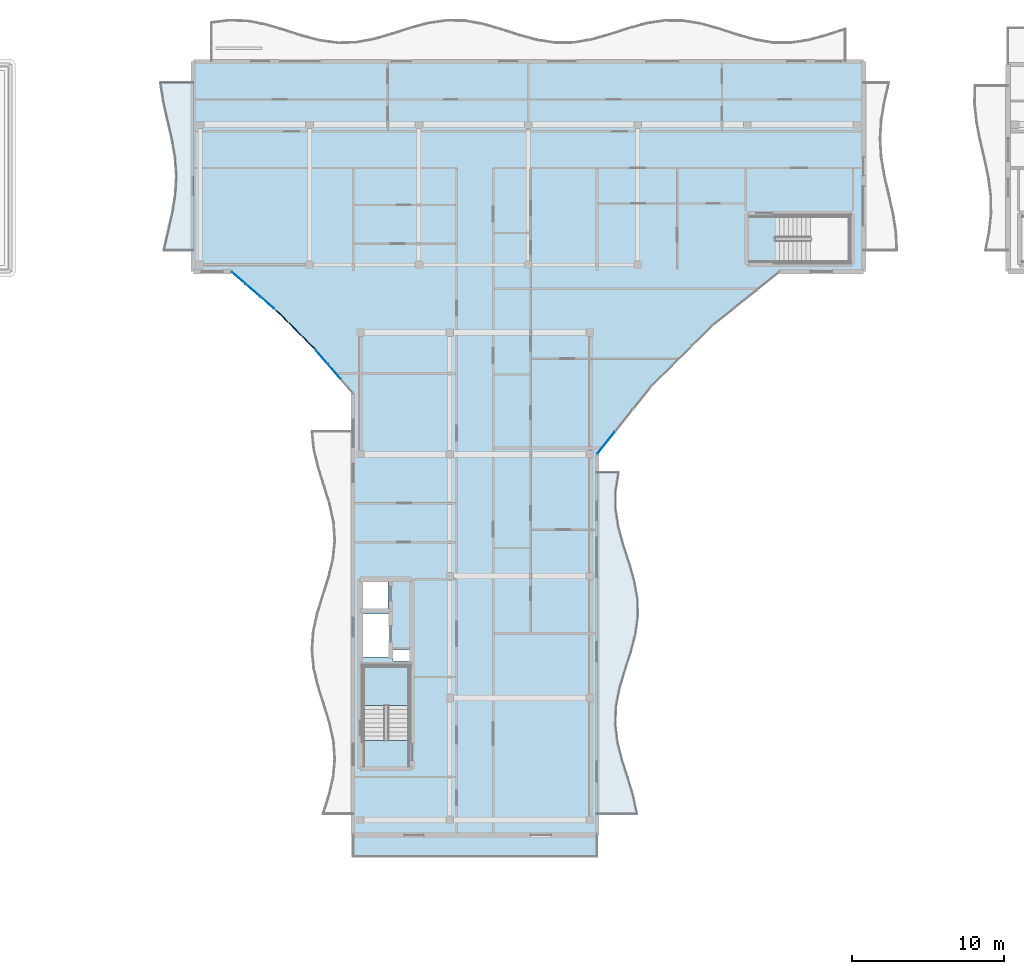
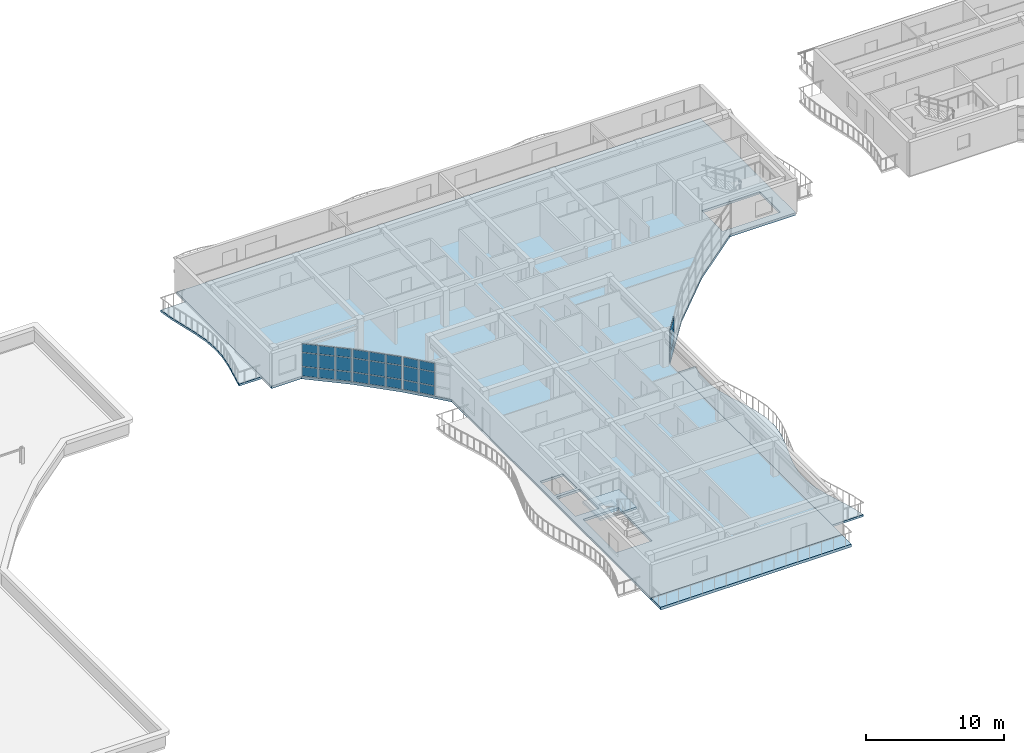
# One storey, part 17 of 39: 27 plates, 5 slabs, 5 elements without a shape of their own.
"""IFC4 building model written with IfcOpenShell, lengths in metres."""

from ifc_helpers import new_model, si_unit, direction, frame, origin, origin_2d, place, context, subcontext, project, spatial, polyline, rectangle, outline, extrude, material, layer, layer_set, type_object, element, aggregate, save


model = new_model("IFC4")

# Units and contexts
model_context = context("Model", 3, precision=1e-05, world=origin(), true_north=direction((0.0, 1.0)))
body_context = subcontext(model_context, "Body", "Model", "MODEL_VIEW")
ifc_project = project(units=[si_unit("LENGTHUNIT", "METRE"), si_unit("AREAUNIT", "SQUARE_METRE"), si_unit("VOLUMEUNIT", "CUBIC_METRE"), si_unit("PLANEANGLEUNIT", "RADIAN"), si_unit("MASSUNIT", "GRAM", prefix="KILO")], contexts=[model_context])

# Site, building, storey
site_placement = place(None, origin())
site = spatial("IfcSite", under=ifc_project, at=site_placement, CompositionType="ELEMENT")
building_placement = place(site_placement, origin())
building = spatial("IfcBuilding", under=site, at=building_placement, Name="Keldmere Railside Commons", CompositionType="ELEMENT")
storey_placement = place(building_placement, frame((0.0, 0.0, 32.9599609375)))
storey = spatial("IfcBuildingStorey", under=building, at=storey_placement, Name="L10", CompositionType="ELEMENT", Elevation=32.9599609375)

# Stair, slab
ifc_material_1 = material(Name="Concrete H-30 (C30/37)", Category="concrete")
stair_type = type_object("IfcStairType", Name="Basement Garage Dogleg Escape Stair 1450", PredefinedType="HALF_TURN_STAIR", material=ifc_material_1)
stair_placement = place(storey_placement, origin())
stair = element("IfcStair", 1, at=stair_placement, inside=storey, type_object=stair_type, Name="L10 Block B Primary Escape Stair 1", PredefinedType="HALF_TURN_STAIR")
ifc_layer_1 = layer(ifc_material_1, 0.199951171875, Name="Enclosed Stair Landing Slab 200")
ifc_layer_set_1 = layer_set([ifc_layer_1], Name="Concrete H-30 (C30/37)")
slab_type_1 = type_object("IfcSlabType", Name="Enclosed Stair Landing Slab 200", PredefinedType="LANDING", material=ifc_layer_set_1)
slab_1_placement = place(storey_placement, frame((0.0, 0.0, 1.400146484375)))
slab_1 = element("IfcSlab", 2, at=slab_1_placement, type_object=slab_type_1, Name="ST-B1 landing 1", PredefinedType="LANDING", context=body_context, shape_type="SweptSolid", body=[
    extrude(outline(polyline([(107.699951171875, 71.52001953125), (107.699951171875, 74.10009765625), (104.64990234375, 74.10009765625), (104.64990234375, 71.52001953125), (107.699951171875, 71.52001953125)])), origin(), (0.0, 0.0, 1.0), 0.199951171875),
])
aggregate(stair, [slab_1])

# Curtain wall, plates
ifc_material_2 = material(Name="Thermally Broken Aluminium", Category="aluminium")
ifc_layer_2 = layer(ifc_material_2, 0.159912109375, Name="Court Chord Wintergarden CW 4800x2850")
ifc_layer_set_2 = layer_set([ifc_layer_2], Name="Thermally Broken Aluminium")
curtain_wall_type_1 = type_object("IfcCurtainWallType", Name="Court Chord Wintergarden CW 4800x2850", PredefinedType="NOTDEFINED", material=ifc_layer_set_2)
curtain_wall_1_placement = place(storey_placement, origin())
curtain_wall_1 = element("IfcCurtainWall", 3, at=curtain_wall_1_placement, inside=storey, type_object=curtain_wall_type_1, Name="CW-12 CW-L10-148", PredefinedType="NOTDEFINED")
ifc_material_3 = material(Name="Insulated Aluminium Spandrel Panel", Category="aluminium")
ifc_layer_3 = layer(ifc_material_3, 0.0439453125, Name="Insulated Ocher Spandrel Panel 44")
ifc_layer_set_3 = layer_set([ifc_layer_3], Name="Insulated Aluminium Spandrel Panel")
plate_type_1 = type_object("IfcPlateType", Name="Insulated Ocher Spandrel Panel 44", PredefinedType="CURTAIN_PANEL", material=ifc_layer_set_3)
plate_1_placement = place(storey_placement, frame((98.369384765625, 97.952392578125, 0.06494140625), z_axis=(0.0, 0.0, 1.0), x_axis=(-0.756596767584, 0.653881741053, 0.0)))
plate_1 = element("IfcPlate", 4, at=plate_1_placement, type_object=plate_type_1, Name="CW-12 panel 1.1", PredefinedType="CURTAIN_PANEL", context=body_context, shape_type="SweptSolid", body=[
    extrude(rectangle(XDim=1.16162109375, YDim=0.0439453125, at=origin_2d()), origin(), (0.0, 0.0, 1.0), 0.802490234375),
])
plate_2_placement = place(storey_placement, frame((98.369384765625, 97.952392578125, 0.9326171875), z_axis=(0.0, 0.0, 1.0), x_axis=(-0.756596767584, 0.653881741053, 0.0)))
plate_2 = element("IfcPlate", 5, at=plate_2_placement, type_object=plate_type_1, Name="CW-12 panel 1.2", PredefinedType="CURTAIN_PANEL", context=body_context, shape_type="SweptSolid", body=[
    extrude(rectangle(XDim=1.16162109375, YDim=0.0439453125, at=origin_2d()), origin(), (0.0, 0.0, 1.0), 1.18505859375),
])
plate_3_placement = place(storey_placement, frame((98.369384765625, 97.952392578125, 2.1826171875), z_axis=(0.0, 0.0, 1.0), x_axis=(-0.756596767584, 0.653881741053, 0.0)))
plate_3 = element("IfcPlate", 6, at=plate_3_placement, type_object=plate_type_1, Name="CW-12 panel 1.3", PredefinedType="CURTAIN_PANEL", context=body_context, shape_type="SweptSolid", body=[
    extrude(rectangle(XDim=1.16162109375, YDim=0.0439453125, at=origin_2d()), origin(), (0.0, 0.0, 1.0), 0.732421875),
])
plate_4_placement = place(storey_placement, frame((97.428955078125, 98.764892578125, 0.06494140625), z_axis=(0.0, 0.0, 1.0), x_axis=(-0.756596767584, 0.653881741053, 0.0)))
plate_4 = element("IfcPlate", 7, at=plate_4_placement, type_object=plate_type_1, Name="CW-12 panel 2.1", PredefinedType="CURTAIN_PANEL", context=body_context, shape_type="SweptSolid", body=[
    extrude(rectangle(XDim=1.194091796875, YDim=0.0439453125, at=origin_2d()), origin(), (0.0, 0.0, 1.0), 0.802490234375),
])
plate_5_placement = place(storey_placement, frame((97.428955078125, 98.764892578125, 0.9326171875), z_axis=(0.0, 0.0, 1.0), x_axis=(-0.756596767584, 0.653881741053, 0.0)))
plate_5 = element("IfcPlate", 8, at=plate_5_placement, type_object=plate_type_1, Name="CW-12 panel 2.2", PredefinedType="CURTAIN_PANEL", context=body_context, shape_type="SweptSolid", body=[
    extrude(rectangle(XDim=1.194091796875, YDim=0.0439453125, at=origin_2d()), origin(), (0.0, 0.0, 1.0), 1.18505859375),
])
plate_6_placement = place(storey_placement, frame((97.428955078125, 98.764892578125, 2.1826171875), z_axis=(0.0, 0.0, 1.0), x_axis=(-0.756596767584, 0.653881741053, 0.0)))
plate_6 = element("IfcPlate", 9, at=plate_6_placement, type_object=plate_type_1, Name="CW-12 panel 2.3", PredefinedType="CURTAIN_PANEL", context=body_context, shape_type="SweptSolid", body=[
    extrude(rectangle(XDim=1.194091796875, YDim=0.0439453125, at=origin_2d()), origin(), (0.0, 0.0, 1.0), 0.732421875),
])
plate_7_placement = place(storey_placement, frame((96.488525390625, 99.57763671875, 0.06494140625), z_axis=(0.0, 0.0, 1.0), x_axis=(-0.756596767584, 0.653881741053, 0.0)))
plate_7 = element("IfcPlate", 10, at=plate_7_placement, type_object=plate_type_1, Name="CW-12 panel 3.1", PredefinedType="CURTAIN_PANEL", context=body_context, shape_type="SweptSolid", body=[
    extrude(rectangle(XDim=1.16162109375, YDim=0.0439453125, at=origin_2d()), origin(), (0.0, 0.0, 1.0), 0.802490234375),
])
plate_8_placement = place(storey_placement, frame((96.488525390625, 99.57763671875, 0.9326171875), z_axis=(0.0, 0.0, 1.0), x_axis=(-0.756596767584, 0.653881741053, 0.0)))
plate_8 = element("IfcPlate", 11, at=plate_8_placement, type_object=plate_type_1, Name="CW-12 panel 3.2", PredefinedType="CURTAIN_PANEL", context=body_context, shape_type="SweptSolid", body=[
    extrude(rectangle(XDim=1.16162109375, YDim=0.0439453125, at=origin_2d()), origin(), (0.0, 0.0, 1.0), 1.18505859375),
])
plate_9_placement = place(storey_placement, frame((96.488525390625, 99.57763671875, 2.1826171875), z_axis=(0.0, 0.0, 1.0), x_axis=(-0.756596767584, 0.653881741053, 0.0)))
plate_9 = element("IfcPlate", 12, at=plate_9_placement, type_object=plate_type_1, Name="CW-12 panel 3.3", PredefinedType="CURTAIN_PANEL", context=body_context, shape_type="SweptSolid", body=[
    extrude(rectangle(XDim=1.16162109375, YDim=0.0439453125, at=origin_2d()), origin(), (0.0, 0.0, 1.0), 0.732421875),
])
aggregate(curtain_wall_1, [plate_1, plate_2, plate_3, plate_4, plate_5, plate_6, plate_7, plate_8, plate_9])

curtain_wall_2_placement = place(storey_placement, origin())
curtain_wall_2 = element("IfcCurtainWall", 13, at=curtain_wall_2_placement, inside=storey, type_object=curtain_wall_type_1, Name="CW-12 CW-L10-150", PredefinedType="NOTDEFINED")
plate_10_placement = place(storey_placement, frame((102.764892578125, 93.428955078125, 0.06494140625), z_axis=(0.0, 0.0, 1.0), x_axis=(-0.653881741053, 0.756596767584, 0.0)))
plate_10 = element("IfcPlate", 14, at=plate_10_placement, type_object=plate_type_1, Name="CW-12 panel 2.1", PredefinedType="CURTAIN_PANEL", context=body_context, shape_type="SweptSolid", body=[
    extrude(rectangle(XDim=1.194091796875, YDim=0.0439453125, at=origin_2d()), origin(), (0.0, 0.0, 1.0), 0.802490234375),
])
plate_11_placement = place(storey_placement, frame((102.764892578125, 93.428955078125, 0.9326171875), z_axis=(0.0, 0.0, 1.0), x_axis=(-0.653881741053, 0.756596767584, 0.0)))
plate_11 = element("IfcPlate", 15, at=plate_11_placement, type_object=plate_type_1, Name="CW-12 panel 2.2", PredefinedType="CURTAIN_PANEL", context=body_context, shape_type="SweptSolid", body=[
    extrude(rectangle(XDim=1.194091796875, YDim=0.0439453125, at=origin_2d()), origin(), (0.0, 0.0, 1.0), 1.18505859375),
])
plate_12_placement = place(storey_placement, frame((102.764892578125, 93.428955078125, 2.1826171875), z_axis=(0.0, 0.0, 1.0), x_axis=(-0.653881741053, 0.756596767584, 0.0)))
plate_12 = element("IfcPlate", 16, at=plate_12_placement, type_object=plate_type_1, Name="CW-12 panel 2.3", PredefinedType="CURTAIN_PANEL", context=body_context, shape_type="SweptSolid", body=[
    extrude(rectangle(XDim=1.194091796875, YDim=0.0439453125, at=origin_2d()), origin(), (0.0, 0.0, 1.0), 0.732421875),
])
plate_13_placement = place(storey_placement, frame((101.952392578125, 94.369384765625, 0.06494140625), z_axis=(0.0, 0.0, 1.0), x_axis=(-0.653881741053, 0.756596767584, 0.0)))
plate_13 = element("IfcPlate", 17, at=plate_13_placement, type_object=plate_type_1, Name="CW-12 panel 3.1", PredefinedType="CURTAIN_PANEL", context=body_context, shape_type="SweptSolid", body=[
    extrude(rectangle(XDim=1.16162109375, YDim=0.0439453125, at=origin_2d()), origin(), (0.0, 0.0, 1.0), 0.802490234375),
])
plate_14_placement = place(storey_placement, frame((101.952392578125, 94.369384765625, 0.9326171875), z_axis=(0.0, 0.0, 1.0), x_axis=(-0.653881741053, 0.756596767584, 0.0)))
plate_14 = element("IfcPlate", 18, at=plate_14_placement, type_object=plate_type_1, Name="CW-12 panel 3.2", PredefinedType="CURTAIN_PANEL", context=body_context, shape_type="SweptSolid", body=[
    extrude(rectangle(XDim=1.16162109375, YDim=0.0439453125, at=origin_2d()), origin(), (0.0, 0.0, 1.0), 1.18505859375),
])
plate_15_placement = place(storey_placement, frame((101.952392578125, 94.369384765625, 2.1826171875), z_axis=(0.0, 0.0, 1.0), x_axis=(-0.653881741053, 0.756596767584, 0.0)))
plate_15 = element("IfcPlate", 19, at=plate_15_placement, type_object=plate_type_1, Name="CW-12 panel 3.3", PredefinedType="CURTAIN_PANEL", context=body_context, shape_type="SweptSolid", body=[
    extrude(rectangle(XDim=1.16162109375, YDim=0.0439453125, at=origin_2d()), origin(), (0.0, 0.0, 1.0), 0.732421875),
])
aggregate(curtain_wall_2, [plate_10, plate_11, plate_12, plate_13, plate_14, plate_15])

curtain_wall_3_placement = place(storey_placement, origin())
curtain_wall_3 = element("IfcCurtainWall", 20, at=curtain_wall_3_placement, inside=storey, type_object=curtain_wall_type_1, Name="CW-12 CW-L10-145", PredefinedType="NOTDEFINED")
ifc_layer_4 = layer(ifc_material_3, 0.050048828125, Name="Insulated Terracotta Spandrel Panel 50")
ifc_layer_set_4 = layer_set([ifc_layer_4], Name="Insulated Aluminium Spandrel Panel")
plate_type_2 = type_object("IfcPlateType", Name="Insulated Terracotta Spandrel Panel 50", PredefinedType="CURTAIN_PANEL", material=ifc_layer_set_4)
plate_16_placement = place(storey_placement, frame((120.6025390625, 88.7509765625, 0.06494140625), z_axis=(0.0, 0.0, 1.0), x_axis=(-0.625768080915, -0.780009172323, 0.0)))
plate_16 = element("IfcPlate", 21, at=plate_16_placement, type_object=plate_type_2, Name="CW-12 panel 3.1", PredefinedType="CURTAIN_PANEL", context=body_context, shape_type="SweptSolid", body=[
    extrude(rectangle(XDim=1.795654296875, YDim=0.050048828125, at=origin_2d()), origin(), (0.0, 0.0, 1.0), 0.802490234375),
])
plate_17_placement = place(storey_placement, frame((120.6025390625, 88.7509765625, 0.9326171875), z_axis=(0.0, 0.0, 1.0), x_axis=(-0.625768080915, -0.780009172323, 0.0)))
plate_17 = element("IfcPlate", 22, at=plate_17_placement, type_object=plate_type_2, Name="CW-12 panel 3.2", PredefinedType="CURTAIN_PANEL", context=body_context, shape_type="SweptSolid", body=[
    extrude(rectangle(XDim=1.795654296875, YDim=0.050048828125, at=origin_2d()), origin(), (0.0, 0.0, 1.0), 1.18505859375),
])
plate_18_placement = place(storey_placement, frame((120.6025390625, 88.7509765625, 2.1826171875), z_axis=(0.0, 0.0, 1.0), x_axis=(-0.625768080915, -0.780009172323, 0.0)))
plate_18 = element("IfcPlate", 23, at=plate_18_placement, type_object=plate_type_2, Name="CW-12 panel 3.3", PredefinedType="CURTAIN_PANEL", context=body_context, shape_type="SweptSolid", body=[
    extrude(rectangle(XDim=1.795654296875, YDim=0.050048828125, at=origin_2d()), origin(), (0.0, 0.0, 1.0), 0.732421875),
])
aggregate(curtain_wall_3, [plate_16, plate_17, plate_18])

ifc_layer_5 = layer(ifc_material_2, 0.159912109375, Name="Court Chord Wintergarden CW 5400x2850")
ifc_layer_set_5 = layer_set([ifc_layer_5], Name="Thermally Broken Aluminium")
curtain_wall_type_2 = type_object("IfcCurtainWallType", Name="Court Chord Wintergarden CW 5400x2850", PredefinedType="NOTDEFINED", material=ifc_layer_set_5)
curtain_wall_4_placement = place(storey_placement, origin())
curtain_wall_4 = element("IfcCurtainWall", 24, at=curtain_wall_4_placement, inside=storey, type_object=curtain_wall_type_2, Name="CW-13 CW-L10-149", PredefinedType="NOTDEFINED")
plate_19_placement = place(storey_placement, frame((101.0732421875, 95.31494140625, 0.06494140625), z_axis=(0.0, 0.0, 1.0), x_axis=(-0.707106781187, 0.707106781187, 0.0)))
plate_19 = element("IfcPlate", 25, at=plate_19_placement, type_object=plate_type_2, Name="CW-13 panel 1.1", PredefinedType="CURTAIN_PANEL", context=body_context, shape_type="SweptSolid", body=[
    extrude(rectangle(XDim=1.162109375, YDim=0.050048828125, at=origin_2d()), origin(), (0.0, 0.0, 1.0), 0.802490234375),
])
plate_20_placement = place(storey_placement, frame((101.0732421875, 95.31494140625, 0.9326171875), z_axis=(0.0, 0.0, 1.0), x_axis=(-0.707106781187, 0.707106781187, 0.0)))
plate_20 = element("IfcPlate", 26, at=plate_20_placement, type_object=plate_type_2, Name="CW-13 panel 1.2", PredefinedType="CURTAIN_PANEL", context=body_context, shape_type="SweptSolid", body=[
    extrude(rectangle(XDim=1.162109375, YDim=0.050048828125, at=origin_2d()), origin(), (0.0, 0.0, 1.0), 1.18505859375),
])
plate_21_placement = place(storey_placement, frame((101.0732421875, 95.31494140625, 2.1826171875), z_axis=(0.0, 0.0, 1.0), x_axis=(-0.707106781187, 0.707106781187, 0.0)))
plate_21 = element("IfcPlate", 27, at=plate_21_placement, type_object=plate_type_2, Name="CW-13 panel 1.3", PredefinedType="CURTAIN_PANEL", context=body_context, shape_type="SweptSolid", body=[
    extrude(rectangle(XDim=1.162109375, YDim=0.050048828125, at=origin_2d()), origin(), (0.0, 0.0, 1.0), 0.732421875),
])
plate_22_placement = place(storey_placement, frame((100.194091796875, 96.194091796875, 0.06494140625), z_axis=(0.0, 0.0, 1.0), x_axis=(-0.707106781187, 0.707106781187, 0.0)))
plate_22 = element("IfcPlate", 28, at=plate_22_placement, type_object=plate_type_2, Name="CW-13 panel 2.1", PredefinedType="CURTAIN_PANEL", context=body_context, shape_type="SweptSolid", body=[
    extrude(rectangle(XDim=1.194580078125, YDim=0.050048828125, at=origin_2d()), origin(), (0.0, 0.0, 1.0), 0.802490234375),
])
plate_23_placement = place(storey_placement, frame((100.194091796875, 96.194091796875, 0.9326171875), z_axis=(0.0, 0.0, 1.0), x_axis=(-0.707106781187, 0.707106781187, 0.0)))
plate_23 = element("IfcPlate", 29, at=plate_23_placement, type_object=plate_type_2, Name="CW-13 panel 2.2", PredefinedType="CURTAIN_PANEL", context=body_context, shape_type="SweptSolid", body=[
    extrude(rectangle(XDim=1.194580078125, YDim=0.050048828125, at=origin_2d()), origin(), (0.0, 0.0, 1.0), 1.18505859375),
])
plate_24_placement = place(storey_placement, frame((100.194091796875, 96.194091796875, 2.1826171875), z_axis=(0.0, 0.0, 1.0), x_axis=(-0.707106781187, 0.707106781187, 0.0)))
plate_24 = element("IfcPlate", 30, at=plate_24_placement, type_object=plate_type_2, Name="CW-13 panel 2.3", PredefinedType="CURTAIN_PANEL", context=body_context, shape_type="SweptSolid", body=[
    extrude(rectangle(XDim=1.194580078125, YDim=0.050048828125, at=origin_2d()), origin(), (0.0, 0.0, 1.0), 0.732421875),
])
plate_25_placement = place(storey_placement, frame((99.31494140625, 97.0732421875, 0.06494140625), z_axis=(0.0, 0.0, 1.0), x_axis=(-0.707106781187, 0.707106781187, 0.0)))
plate_25 = element("IfcPlate", 31, at=plate_25_placement, type_object=plate_type_2, Name="CW-13 panel 3.1", PredefinedType="CURTAIN_PANEL", context=body_context, shape_type="SweptSolid", body=[
    extrude(rectangle(XDim=1.162109375, YDim=0.050048828125, at=origin_2d()), origin(), (0.0, 0.0, 1.0), 0.802490234375),
])
plate_26_placement = place(storey_placement, frame((99.31494140625, 97.0732421875, 0.9326171875), z_axis=(0.0, 0.0, 1.0), x_axis=(-0.707106781187, 0.707106781187, 0.0)))
plate_26 = element("IfcPlate", 32, at=plate_26_placement, type_object=plate_type_2, Name="CW-13 panel 3.2", PredefinedType="CURTAIN_PANEL", context=body_context, shape_type="SweptSolid", body=[
    extrude(rectangle(XDim=1.162109375, YDim=0.050048828125, at=origin_2d()), origin(), (0.0, 0.0, 1.0), 1.18505859375),
])
plate_27_placement = place(storey_placement, frame((99.31494140625, 97.0732421875, 2.1826171875), z_axis=(0.0, 0.0, 1.0), x_axis=(-0.707106781187, 0.707106781187, 0.0)))
plate_27 = element("IfcPlate", 33, at=plate_27_placement, type_object=plate_type_2, Name="CW-13 panel 3.3", PredefinedType="CURTAIN_PANEL", context=body_context, shape_type="SweptSolid", body=[
    extrude(rectangle(XDim=1.162109375, YDim=0.050048828125, at=origin_2d()), origin(), (0.0, 0.0, 1.0), 0.732421875),
])
aggregate(curtain_wall_4, [plate_19, plate_20, plate_21, plate_22, plate_23, plate_24, plate_25, plate_26, plate_27])

# Slabs
ifc_material_4 = material(Name="Concrete H-35 (C35/45)", Category="concrete")
ifc_layer_6 = layer(ifc_material_4, 0.25, Name="Planted Terrace Roof Slab 250")
ifc_layer_set_6 = layer_set([ifc_layer_6], Name="Concrete H-35 (C35/45)")
slab_type_2 = type_object("IfcSlabType", Name="Planted Terrace Roof Slab 250", PredefinedType="ROOF", material=ifc_layer_set_6)
slab_2_placement = place(storey_placement, frame((0.0, 0.0, -0.25)))
element("IfcSlab", 34, at=slab_2_placement, inside=storey, type_object=slab_type_2, Name="RT-1 TERRB-L10-049", PredefinedType="ROOF", context=body_context, shape_type="SweptSolid", body=[
    extrude(outline(polyline([(120.0, 61.60009765625), (120.0, 62.989990234375), (104.0, 62.989990234375), (104.0, 61.60009765625), (120.0, 61.60009765625)])), origin(), (0.0, 0.0, 1.0), 0.25),
])
ifc_layer_7 = layer(ifc_material_1, 0.219970703125, Name="Residential Flat Slab 220")
ifc_layer_set_7 = layer_set([ifc_layer_7], Name="Concrete H-30 (C30/37)")
slab_type_3 = type_object("IfcSlabType", Name="Residential Flat Slab 220", PredefinedType="FLOOR", material=ifc_layer_set_7)
slab_3_placement = place(storey_placement, frame((0.0, 0.0, -0.219970703125)))
element("IfcSlab", 35, at=slab_3_placement, inside=storey, type_object=slab_type_3, Name="FS-2 BLKB-L10-048", PredefinedType="FLOOR", context=body_context, shape_type="SweptSolid", body=[
    extrude(outline(polyline([(104.0, 63.0), (120.0, 63.0), (120.0, 88.0), (123.553955078125, 92.429931640625), (127.570068359375, 96.446044921875), (132.0, 100.0), (137.5, 100.0), (137.5, 113.800048828125), (93.5, 113.800048828125), (93.5, 100.0), (96.0, 100.0), (98.85791015625, 97.530029296875), (101.530029296875, 94.85791015625), (104.0, 92.0), (104.0, 63.0)]), holes=[polyline([(107.675048828125, 74.074951171875), (107.675048828125, 69.22509765625), (104.675048828125, 69.22509765625), (104.675048828125, 74.074951171875), (107.675048828125, 74.074951171875)]), polyline([(107.699951171875, 75.159912109375), (107.699951171875, 74.419921875), (106.60009765625, 74.419921875), (106.60009765625, 75.159912109375), (107.699951171875, 75.159912109375)]), polyline([(106.39990234375, 74.699951171875), (104.39990234375, 74.699951171875), (104.39990234375, 77.5), (106.39990234375, 77.5), (106.39990234375, 74.699951171875)]), polyline([(106.300048828125, 79.800048828125), (106.300048828125, 77.75), (104.39990234375, 77.75), (104.39990234375, 79.800048828125), (106.300048828125, 79.800048828125)]), polyline([(131.72509765625, 100.625), (131.72509765625, 103.625), (136.574951171875, 103.625), (136.574951171875, 100.625), (131.72509765625, 100.625)])]), origin(), (0.0, 0.0, 1.0), 0.219970703125),
])
ifc_material_5 = material(Name="White Precast Concrete H-35 (C35/45)", Category="concrete")
ifc_layer_8 = layer(ifc_material_5, 0.179931640625, Name="Sinusoidal Wave Balcony Slab 180")
ifc_layer_set_8 = layer_set([ifc_layer_8], Name="White Precast Concrete H-35 (C35/45)")
slab_type_4 = type_object("IfcSlabType", Name="Sinusoidal Wave Balcony Slab 180", PredefinedType="FLOOR", material=ifc_layer_set_8)
slab_4_placement = place(storey_placement, frame((0.0, 0.0, -0.179931640625)))
element("IfcSlab", 36, at=slab_4_placement, inside=storey, type_object=slab_type_4, Name="WB-1 B L10 CE Wave Balcony", PredefinedType="FLOOR", context=body_context, shape_type="SweptSolid", body=[
    extrude(outline(polyline([(122.626708984375, 64.39990234375), (122.3798828125, 65.578857421875), (122.02197265625, 66.7578125), (121.645263671875, 67.936767578125), (121.347412109375, 69.11572265625), (121.205810546875, 70.294677734375), (121.256591796875, 71.4736328125), (121.48681640625, 72.652587890625), (121.837158203125, 73.83154296875), (122.216552734375, 75.010498046875), (122.527099609375, 76.189453125), (122.68798828125, 77.368408203125), (122.658203125, 78.54736328125), (122.44482421875, 79.726318359375), (122.103515625, 80.9052734375), (121.722412109375, 82.084228515625), (121.400390625, 83.26318359375), (121.220458984375, 84.442138671875), (121.2294921875, 85.62109375), (121.4248046875, 86.800048828125), (120.0, 86.800048828125), (120.0, 85.62109375), (120.0, 84.442138671875), (120.0, 83.26318359375), (120.0, 82.084228515625), (120.0, 80.9052734375), (120.0, 79.726318359375), (120.0, 78.54736328125), (120.0, 77.368408203125), (120.0, 76.189453125), (120.0, 75.010498046875), (120.0, 73.83154296875), (120.0, 72.652587890625), (120.0, 71.4736328125), (120.0, 70.294677734375), (120.0, 69.11572265625), (120.0, 67.936767578125), (120.0, 66.7578125), (120.0, 65.578857421875), (120.0, 64.39990234375), (122.626708984375, 64.39990234375)])), origin(), (0.0, 0.0, 1.0), 0.179931640625),
])
slab_5_placement = place(storey_placement, frame((0.0, 0.0, -0.179931640625)))
element("IfcSlab", 37, at=slab_5_placement, inside=storey, type_object=slab_type_4, Name="WB-1 B L10 WW Wave Balcony", PredefinedType="FLOOR", context=body_context, shape_type="SweptSolid", body=[
    extrude(outline(polyline([(93.5, 101.39990234375), (93.5, 102.622314453125), (93.5, 103.844482421875), (93.5, 105.066650390625), (93.5, 106.288818359375), (93.5, 107.510986328125), (93.5, 108.7333984375), (93.5, 109.95556640625), (93.5, 111.177734375), (93.5, 112.39990234375), (91.351806640625, 112.39990234375), (91.539306640625, 111.177734375), (91.813232421875, 109.95556640625), (92.097412109375, 108.7333984375), (92.312744140625, 107.510986328125), (92.399658203125, 106.288818359375), (92.333740234375, 105.066650390625), (92.133544921875, 103.844482421875), (91.854736328125, 102.622314453125), (91.574462890625, 101.39990234375), (93.5, 101.39990234375)])), origin(), (0.0, 0.0, 1.0), 0.179931640625),
])

save(model, "model.ifc")
